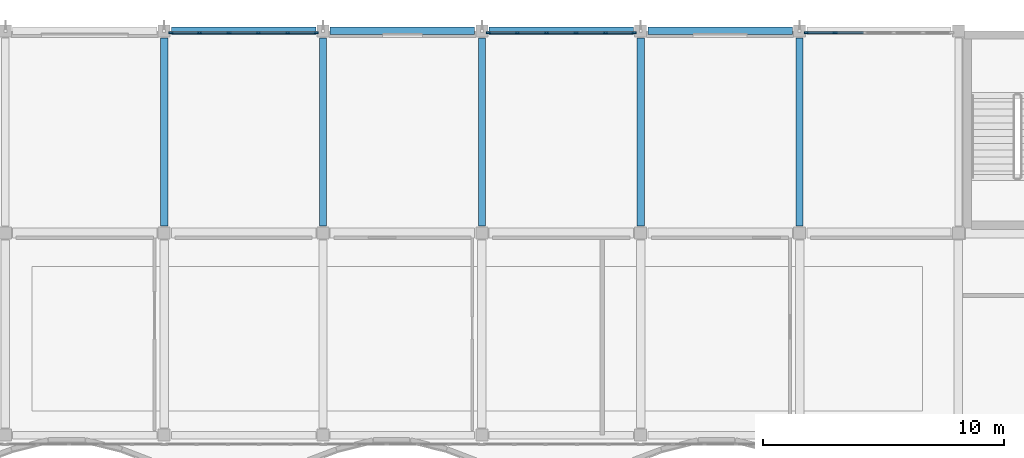
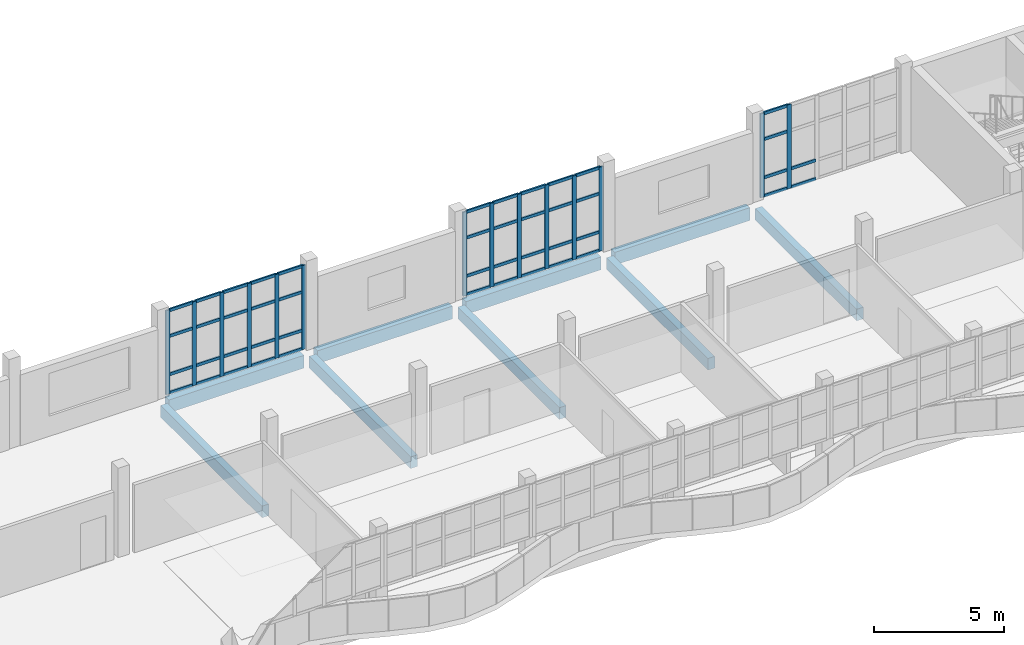
# One storey, part 22 of 78: 60 members, 9 beams, 3 elements without a shape of their own.
"""IFC4 building model written with IfcOpenShell, lengths in metres."""

from ifc_helpers import new_model, si_unit, direction, frame, origin, origin_2d, place, context, subcontext, project, spatial, rectangle, extrude, material, material_profile, profile_set, type_object, element, aggregate, save


model = new_model("IFC4")

# Units and contexts
model_context = context("Model", 3, precision=1e-05, world=origin(), true_north=direction((0.0, 1.0)))
body_context = subcontext(model_context, "Body", "Model", "MODEL_VIEW")
ifc_project = project(units=[si_unit("LENGTHUNIT", "METRE"), si_unit("AREAUNIT", "SQUARE_METRE"), si_unit("VOLUMEUNIT", "CUBIC_METRE"), si_unit("PLANEANGLEUNIT", "RADIAN"), si_unit("MASSUNIT", "GRAM", prefix="KILO")], contexts=[model_context])

# Site, building, storey
site_placement = place(None, origin())
site = spatial("IfcSite", under=ifc_project, at=site_placement, CompositionType="ELEMENT")
building_placement = place(site_placement, origin())
building = spatial("IfcBuilding", under=site, at=building_placement, Name="Qaldarim Faculty of Natural and Applied Sciences", CompositionType="ELEMENT")
storey_placement = place(building_placement, frame((0.0, 0.0, 18.60009765625)))
storey = spatial("IfcBuildingStorey", under=building, at=storey_placement, Name="L04", CompositionType="ELEMENT", Elevation=18.60009765625)

# Beams
ifc_material_1 = material(Name="Concrete C40/50", Category="concrete")
ifc_material_profile_1 = material_profile(ifc_material_1, rectangle(XDim=0.300048828125, YDim=0.550048828125, at=origin_2d()), Name="RC-B300x550")
ifc_profile_set_1 = profile_set([ifc_material_profile_1], Name="Concrete C40/50")
beam_type_1 = type_object("IfcBeamType", Name="FloorBeam-RC300x550", PredefinedType="BEAM", material=ifc_profile_set_1)
for number, where, z_axis, x_axis, name in (
    (1, (66.0, 109.5, -0.53515625), (0.0, 1.0, 0.0), (-1.0, 0.0, 0.0), "Beam RC-B300x550 L03 X11/Y14-Y15"),
    (2, (72.60009765625, 109.5, -0.53515625), (0.0, 1.0, 0.0), (-1.0, 0.0, 0.0), "Beam RC-B300x550 L03 X12/Y14-Y15"),
    (3, (79.199951171875, 109.5, -0.53515625), (0.0, 1.0, 0.0), (-1.0, 0.0, 0.0), "Beam RC-B300x550 L03 X13/Y14-Y15"),
    (4, (85.800048828125, 109.5, -0.53515625), (0.0, 1.0, 0.0), (-1.0, 0.0, 0.0), "Beam RC-B300x550 L03 X14/Y14-Y15"),
    (5, (92.39990234375, 109.5, -0.53515625), (0.0, 1.0, 0.0), (-1.0, 0.0, 0.0), "Beam RC-B300x550 L03 X15/Y14-Y15"),
):
    element("IfcBeam", number, at=place(storey_placement, frame(where, z_axis=z_axis, x_axis=x_axis)), inside=storey, type_object=beam_type_1, Name=name, PredefinedType="BEAM", context=body_context, shape_type="SweptSolid", body=[
        extrude(rectangle(XDim=0.300048828125, YDim=0.550048828125, at=origin_2d()), origin(), (0.0, 0.0, 1.0), 7.800048828125),
    ])

# Curtain wall, members
ifc_material_2 = material(Name="Anodised aluminium AW-6063", Category="aluminium")
curtain_wall_type = type_object("IfcCurtainWallType", Name="CurtainWallSystem-M1200", PredefinedType="USERDEFINED", material=ifc_material_2)
curtain_wall_1_placement = place(storey_placement, origin())
curtain_wall_1 = element("IfcCurtainWall", 6, at=curtain_wall_1_placement, inside=storey, type_object=curtain_wall_type, Name="Curtain wall CW-L04-N-X11Y14", ObjectType="STICK CURTAIN WALL", PredefinedType="USERDEFINED")
ifc_material_profile_2 = material_profile(ifc_material_2, rectangle(XDim=0.070068359375, YDim=0.179931640625, at=origin_2d()), Name="ALU-M70x180")
ifc_profile_set_2 = profile_set([ifc_material_profile_2], Name="Anodised aluminium AW-6063")
member_type_1 = type_object("IfcMemberType", Name="Mullion-ALU70x180", PredefinedType="MULLION", material=ifc_profile_set_2)
member_1_placement = place(storey_placement, frame((72.320068359375, 117.52001953125, 0.0), z_axis=(0.0, 0.0, 1.0), x_axis=(0.0, -1.0, 0.0)))
member_1 = element("IfcMember", 7, at=member_1_placement, type_object=member_type_1, Name="Mullion 1 of CW-L04-N-X11Y14", PredefinedType="MULLION", context=body_context, shape_type="SweptSolid", body=[
    extrude(rectangle(XDim=0.070068359375, YDim=0.179931640625, at=origin_2d()), origin(), (0.0, 0.0, 1.0), 3.93994140625),
])
member_2_placement = place(storey_placement, frame((71.133056640625, 117.52001953125, 0.0), z_axis=(0.0, 0.0, 1.0), x_axis=(0.0, -1.0, 0.0)))
member_2 = element("IfcMember", 8, at=member_2_placement, type_object=member_type_1, Name="Mullion 2 of CW-L04-N-X11Y14", PredefinedType="MULLION", context=body_context, shape_type="SweptSolid", body=[
    extrude(rectangle(XDim=0.070068359375, YDim=0.179931640625, at=origin_2d()), origin(), (0.0, 0.0, 1.0), 3.93994140625),
])
member_3_placement = place(storey_placement, frame((69.910888671875, 117.52001953125, 0.0), z_axis=(0.0, 0.0, 1.0), x_axis=(0.0, -1.0, 0.0)))
member_3 = element("IfcMember", 9, at=member_3_placement, type_object=member_type_1, Name="Mullion 3 of CW-L04-N-X11Y14", PredefinedType="MULLION", context=body_context, shape_type="SweptSolid", body=[
    extrude(rectangle(XDim=0.070068359375, YDim=0.179931640625, at=origin_2d()), origin(), (0.0, 0.0, 1.0), 3.93994140625),
])
member_4_placement = place(storey_placement, frame((68.68896484375, 117.52001953125, 0.0), z_axis=(0.0, 0.0, 1.0), x_axis=(0.0, -1.0, 0.0)))
member_4 = element("IfcMember", 10, at=member_4_placement, type_object=member_type_1, Name="Mullion 4 of CW-L04-N-X11Y14", PredefinedType="MULLION", context=body_context, shape_type="SweptSolid", body=[
    extrude(rectangle(XDim=0.070068359375, YDim=0.179931640625, at=origin_2d()), origin(), (0.0, 0.0, 1.0), 3.93994140625),
])
member_5_placement = place(storey_placement, frame((67.467041015625, 117.52001953125, 0.0), z_axis=(0.0, 0.0, 1.0), x_axis=(0.0, -1.0, 0.0)))
member_5 = element("IfcMember", 11, at=member_5_placement, type_object=member_type_1, Name="Mullion 5 of CW-L04-N-X11Y14", PredefinedType="MULLION", context=body_context, shape_type="SweptSolid", body=[
    extrude(rectangle(XDim=0.070068359375, YDim=0.179931640625, at=origin_2d()), origin(), (0.0, 0.0, 1.0), 3.93994140625),
])
member_6_placement = place(storey_placement, frame((66.280029296875, 117.52001953125, 0.0), z_axis=(0.0, 0.0, 1.0), x_axis=(0.0, -1.0, 0.0)))
member_6 = element("IfcMember", 12, at=member_6_placement, type_object=member_type_1, Name="Mullion 6 of CW-L04-N-X11Y14", PredefinedType="MULLION", context=body_context, shape_type="SweptSolid", body=[
    extrude(rectangle(XDim=0.070068359375, YDim=0.179931640625, at=origin_2d()), origin(), (0.0, 0.0, 1.0), 3.93994140625),
])

curtain_wall_2_placement = place(storey_placement, origin())
curtain_wall_2 = element("IfcCurtainWall", 13, at=curtain_wall_2_placement, inside=storey, type_object=curtain_wall_type, Name="Curtain wall CW-L04-N-X13Y14", ObjectType="STICK CURTAIN WALL", PredefinedType="USERDEFINED")
member_7_placement = place(storey_placement, frame((85.52001953125, 117.52001953125, 0.0), z_axis=(0.0, 0.0, 1.0), x_axis=(0.0, -1.0, 0.0)))
member_7 = element("IfcMember", 14, at=member_7_placement, type_object=member_type_1, Name="Mullion 1 of CW-L04-N-X13Y14", PredefinedType="MULLION", context=body_context, shape_type="SweptSolid", body=[
    extrude(rectangle(XDim=0.070068359375, YDim=0.179931640625, at=origin_2d()), origin(), (0.0, 0.0, 1.0), 3.93994140625),
])
member_8_placement = place(storey_placement, frame((84.3330078125, 117.52001953125, 0.0), z_axis=(0.0, 0.0, 1.0), x_axis=(0.0, -1.0, 0.0)))
member_8 = element("IfcMember", 15, at=member_8_placement, type_object=member_type_1, Name="Mullion 2 of CW-L04-N-X13Y14", PredefinedType="MULLION", context=body_context, shape_type="SweptSolid", body=[
    extrude(rectangle(XDim=0.070068359375, YDim=0.179931640625, at=origin_2d()), origin(), (0.0, 0.0, 1.0), 3.93994140625),
])
member_9_placement = place(storey_placement, frame((83.111083984375, 117.52001953125, 0.0), z_axis=(0.0, 0.0, 1.0), x_axis=(0.0, -1.0, 0.0)))
member_9 = element("IfcMember", 16, at=member_9_placement, type_object=member_type_1, Name="Mullion 3 of CW-L04-N-X13Y14", PredefinedType="MULLION", context=body_context, shape_type="SweptSolid", body=[
    extrude(rectangle(XDim=0.070068359375, YDim=0.179931640625, at=origin_2d()), origin(), (0.0, 0.0, 1.0), 3.93994140625),
])
member_10_placement = place(storey_placement, frame((81.888916015625, 117.52001953125, 0.0), z_axis=(0.0, 0.0, 1.0), x_axis=(0.0, -1.0, 0.0)))
member_10 = element("IfcMember", 17, at=member_10_placement, type_object=member_type_1, Name="Mullion 4 of CW-L04-N-X13Y14", PredefinedType="MULLION", context=body_context, shape_type="SweptSolid", body=[
    extrude(rectangle(XDim=0.070068359375, YDim=0.179931640625, at=origin_2d()), origin(), (0.0, 0.0, 1.0), 3.93994140625),
])
member_11_placement = place(storey_placement, frame((80.6669921875, 117.52001953125, 0.0), z_axis=(0.0, 0.0, 1.0), x_axis=(0.0, -1.0, 0.0)))
member_11 = element("IfcMember", 18, at=member_11_placement, type_object=member_type_1, Name="Mullion 5 of CW-L04-N-X13Y14", PredefinedType="MULLION", context=body_context, shape_type="SweptSolid", body=[
    extrude(rectangle(XDim=0.070068359375, YDim=0.179931640625, at=origin_2d()), origin(), (0.0, 0.0, 1.0), 3.93994140625),
])
member_12_placement = place(storey_placement, frame((79.47998046875, 117.52001953125, 0.0), z_axis=(0.0, 0.0, 1.0), x_axis=(0.0, -1.0, 0.0)))
member_12 = element("IfcMember", 19, at=member_12_placement, type_object=member_type_1, Name="Mullion 6 of CW-L04-N-X13Y14", PredefinedType="MULLION", context=body_context, shape_type="SweptSolid", body=[
    extrude(rectangle(XDim=0.070068359375, YDim=0.179931640625, at=origin_2d()), origin(), (0.0, 0.0, 1.0), 3.93994140625),
])

curtain_wall_3_placement = place(storey_placement, origin())
curtain_wall_3 = element("IfcCurtainWall", 20, at=curtain_wall_3_placement, inside=storey, type_object=curtain_wall_type, Name="Curtain wall CW-L04-N-X15Y14", ObjectType="STICK CURTAIN WALL", PredefinedType="USERDEFINED")
member_13_placement = place(storey_placement, frame((93.866943359375, 117.52001953125, 0.0), z_axis=(0.0, 0.0, 1.0), x_axis=(0.0, -1.0, 0.0)))
member_13 = element("IfcMember", 21, at=member_13_placement, type_object=member_type_1, Name="Mullion 5 of CW-L04-N-X15Y14", PredefinedType="MULLION", context=body_context, shape_type="SweptSolid", body=[
    extrude(rectangle(XDim=0.070068359375, YDim=0.179931640625, at=origin_2d()), origin(), (0.0, 0.0, 1.0), 3.93994140625),
])
member_14_placement = place(storey_placement, frame((92.679931640625, 117.52001953125, 0.0), z_axis=(0.0, 0.0, 1.0), x_axis=(0.0, -1.0, 0.0)))
member_14 = element("IfcMember", 22, at=member_14_placement, type_object=member_type_1, Name="Mullion 6 of CW-L04-N-X15Y14", PredefinedType="MULLION", context=body_context, shape_type="SweptSolid", body=[
    extrude(rectangle(XDim=0.070068359375, YDim=0.179931640625, at=origin_2d()), origin(), (0.0, 0.0, 1.0), 3.93994140625),
])

# Beams
ifc_material_3 = material(Name="Precast concrete C40/50", Category="concrete")
ifc_material_profile_3 = material_profile(ifc_material_3, rectangle(XDim=0.300048828125, YDim=0.60009765625, at=origin_2d()), Name="RC-SP300x600")
ifc_profile_set_3 = profile_set([ifc_material_profile_3], Name="Precast concrete C40/50")
beam_type_2 = type_object("IfcBeamType", Name="SpandrelBeam-RC300x600", PredefinedType="SPANDREL", material=ifc_profile_set_3)
for number, where, z_axis, x_axis, name in (
    (23, (66.300048828125, 117.60009765625, -0.56005859375), (1.0, 0.0, 0.0), (0.0, 1.0, 0.0), "Beam RC-SP300x600 L03 X11-X12/Y15"),
    (24, (72.89990234375, 117.60009765625, -0.56005859375), (1.0, 0.0, 0.0), (0.0, 1.0, 0.0), "Beam RC-SP300x600 L03 X12-X13/Y15"),
    (25, (79.5, 117.60009765625, -0.56005859375), (1.0, 0.0, 0.0), (0.0, 1.0, 0.0), "Beam RC-SP300x600 L03 X13-X14/Y15"),
    (26, (86.10009765625, 117.60009765625, -0.56005859375), (1.0, 0.0, 0.0), (0.0, 1.0, 0.0), "Beam RC-SP300x600 L03 X14-X15/Y15"),
):
    element("IfcBeam", number, at=place(storey_placement, frame(where, z_axis=z_axis, x_axis=x_axis)), inside=storey, type_object=beam_type_2, Name=name, PredefinedType="SPANDREL", context=body_context, shape_type="SweptSolid", body=[
        extrude(rectangle(XDim=0.300048828125, YDim=0.60009765625, at=origin_2d()), origin(), (0.0, 0.0, 1.0), 6.0),
    ])

# Member
ifc_material_profile_4 = material_profile(ifc_material_2, rectangle(XDim=0.070068359375, YDim=0.139892578125, at=origin_2d()), Name="ALU-T70x140")
ifc_profile_set_4 = profile_set([ifc_material_profile_4], Name="Anodised aluminium AW-6063")
member_type_2 = type_object("IfcMemberType", Name="Transom-ALU70x140", PredefinedType="USERDEFINED", material=ifc_profile_set_4)
member_15_placement = place(storey_placement, frame((72.284912109375, 117.52001953125, 0.034912109375), z_axis=(-1.0, 0.0, 0.0), x_axis=(0.0, -1.0, 0.0)))
member_15 = element("IfcMember", 27, at=member_15_placement, type_object=member_type_2, Name="Transom 1-1 of CW-L04-N-X11Y14", ObjectType="TRANSOM", PredefinedType="USERDEFINED", context=body_context, shape_type="SweptSolid", body=[
    extrude(rectangle(XDim=0.070068359375, YDim=0.139892578125, at=origin_2d()), origin(), (0.0, 0.0, 1.0), 1.116943359375),
])

member_16_placement = place(storey_placement, frame((72.284912109375, 117.52001953125, 0.89990234375), z_axis=(-1.0, 0.0, 0.0), x_axis=(0.0, -1.0, 0.0)))
member_16 = element("IfcMember", 28, at=member_16_placement, type_object=member_type_2, Name="Transom 1-2 of CW-L04-N-X11Y14", ObjectType="TRANSOM", PredefinedType="USERDEFINED", context=body_context, shape_type="SweptSolid", body=[
    extrude(rectangle(XDim=0.070068359375, YDim=0.139892578125, at=origin_2d()), origin(), (0.0, 0.0, 1.0), 1.116943359375),
])

member_17_placement = place(storey_placement, frame((72.284912109375, 117.52001953125, 2.699951171875), z_axis=(-1.0, 0.0, 0.0), x_axis=(0.0, -1.0, 0.0)))
member_17 = element("IfcMember", 29, at=member_17_placement, type_object=member_type_2, Name="Transom 1-3 of CW-L04-N-X11Y14", ObjectType="TRANSOM", PredefinedType="USERDEFINED", context=body_context, shape_type="SweptSolid", body=[
    extrude(rectangle(XDim=0.070068359375, YDim=0.139892578125, at=origin_2d()), origin(), (0.0, 0.0, 1.0), 1.116943359375),
])

member_18_placement = place(storey_placement, frame((72.284912109375, 117.52001953125, 3.90478515625), z_axis=(-1.0, 0.0, 0.0), x_axis=(0.0, -1.0, 0.0)))
member_18 = element("IfcMember", 30, at=member_18_placement, type_object=member_type_2, Name="Transom 1-4 of CW-L04-N-X11Y14", ObjectType="TRANSOM", PredefinedType="USERDEFINED", context=body_context, shape_type="SweptSolid", body=[
    extrude(rectangle(XDim=0.070068359375, YDim=0.139892578125, at=origin_2d()), origin(), (0.0, 0.0, 1.0), 1.116943359375),
])

member_19_placement = place(storey_placement, frame((71.097900390625, 117.52001953125, 0.034912109375), z_axis=(-1.0, 0.0, 0.0), x_axis=(0.0, -1.0, 0.0)))
member_19 = element("IfcMember", 31, at=member_19_placement, type_object=member_type_2, Name="Transom 2-1 of CW-L04-N-X11Y14", ObjectType="TRANSOM", PredefinedType="USERDEFINED", context=body_context, shape_type="SweptSolid", body=[
    extrude(rectangle(XDim=0.070068359375, YDim=0.139892578125, at=origin_2d()), origin(), (0.0, 0.0, 1.0), 1.15185546875),
])

member_20_placement = place(storey_placement, frame((71.097900390625, 117.52001953125, 0.89990234375), z_axis=(-1.0, 0.0, 0.0), x_axis=(0.0, -1.0, 0.0)))
member_20 = element("IfcMember", 32, at=member_20_placement, type_object=member_type_2, Name="Transom 2-2 of CW-L04-N-X11Y14", ObjectType="TRANSOM", PredefinedType="USERDEFINED", context=body_context, shape_type="SweptSolid", body=[
    extrude(rectangle(XDim=0.070068359375, YDim=0.139892578125, at=origin_2d()), origin(), (0.0, 0.0, 1.0), 1.15185546875),
])

member_21_placement = place(storey_placement, frame((71.097900390625, 117.52001953125, 2.699951171875), z_axis=(-1.0, 0.0, 0.0), x_axis=(0.0, -1.0, 0.0)))
member_21 = element("IfcMember", 33, at=member_21_placement, type_object=member_type_2, Name="Transom 2-3 of CW-L04-N-X11Y14", ObjectType="TRANSOM", PredefinedType="USERDEFINED", context=body_context, shape_type="SweptSolid", body=[
    extrude(rectangle(XDim=0.070068359375, YDim=0.139892578125, at=origin_2d()), origin(), (0.0, 0.0, 1.0), 1.15185546875),
])

member_22_placement = place(storey_placement, frame((71.097900390625, 117.52001953125, 3.90478515625), z_axis=(-1.0, 0.0, 0.0), x_axis=(0.0, -1.0, 0.0)))
member_22 = element("IfcMember", 34, at=member_22_placement, type_object=member_type_2, Name="Transom 2-4 of CW-L04-N-X11Y14", ObjectType="TRANSOM", PredefinedType="USERDEFINED", context=body_context, shape_type="SweptSolid", body=[
    extrude(rectangle(XDim=0.070068359375, YDim=0.139892578125, at=origin_2d()), origin(), (0.0, 0.0, 1.0), 1.15185546875),
])

member_23_placement = place(storey_placement, frame((69.8759765625, 117.52001953125, 0.034912109375), z_axis=(-1.0, 0.0, 0.0), x_axis=(0.0, -1.0, 0.0)))
member_23 = element("IfcMember", 35, at=member_23_placement, type_object=member_type_2, Name="Transom 3-1 of CW-L04-N-X11Y14", ObjectType="TRANSOM", PredefinedType="USERDEFINED", context=body_context, shape_type="SweptSolid", body=[
    extrude(rectangle(XDim=0.070068359375, YDim=0.139892578125, at=origin_2d()), origin(), (0.0, 0.0, 1.0), 1.15185546875),
])

member_24_placement = place(storey_placement, frame((69.8759765625, 117.52001953125, 0.89990234375), z_axis=(-1.0, 0.0, 0.0), x_axis=(0.0, -1.0, 0.0)))
member_24 = element("IfcMember", 36, at=member_24_placement, type_object=member_type_2, Name="Transom 3-2 of CW-L04-N-X11Y14", ObjectType="TRANSOM", PredefinedType="USERDEFINED", context=body_context, shape_type="SweptSolid", body=[
    extrude(rectangle(XDim=0.070068359375, YDim=0.139892578125, at=origin_2d()), origin(), (0.0, 0.0, 1.0), 1.15185546875),
])

member_25_placement = place(storey_placement, frame((69.8759765625, 117.52001953125, 2.699951171875), z_axis=(-1.0, 0.0, 0.0), x_axis=(0.0, -1.0, 0.0)))
member_25 = element("IfcMember", 37, at=member_25_placement, type_object=member_type_2, Name="Transom 3-3 of CW-L04-N-X11Y14", ObjectType="TRANSOM", PredefinedType="USERDEFINED", context=body_context, shape_type="SweptSolid", body=[
    extrude(rectangle(XDim=0.070068359375, YDim=0.139892578125, at=origin_2d()), origin(), (0.0, 0.0, 1.0), 1.15185546875),
])

member_26_placement = place(storey_placement, frame((69.8759765625, 117.52001953125, 3.90478515625), z_axis=(-1.0, 0.0, 0.0), x_axis=(0.0, -1.0, 0.0)))
member_26 = element("IfcMember", 38, at=member_26_placement, type_object=member_type_2, Name="Transom 3-4 of CW-L04-N-X11Y14", ObjectType="TRANSOM", PredefinedType="USERDEFINED", context=body_context, shape_type="SweptSolid", body=[
    extrude(rectangle(XDim=0.070068359375, YDim=0.139892578125, at=origin_2d()), origin(), (0.0, 0.0, 1.0), 1.15185546875),
])

member_27_placement = place(storey_placement, frame((68.654052734375, 117.52001953125, 0.034912109375), z_axis=(-1.0, 0.0, 0.0), x_axis=(0.0, -1.0, 0.0)))
member_27 = element("IfcMember", 39, at=member_27_placement, type_object=member_type_2, Name="Transom 4-1 of CW-L04-N-X11Y14", ObjectType="TRANSOM", PredefinedType="USERDEFINED", context=body_context, shape_type="SweptSolid", body=[
    extrude(rectangle(XDim=0.070068359375, YDim=0.139892578125, at=origin_2d()), origin(), (0.0, 0.0, 1.0), 1.152099609375),
])

member_28_placement = place(storey_placement, frame((68.654052734375, 117.52001953125, 0.89990234375), z_axis=(-1.0, 0.0, 0.0), x_axis=(0.0, -1.0, 0.0)))
member_28 = element("IfcMember", 40, at=member_28_placement, type_object=member_type_2, Name="Transom 4-2 of CW-L04-N-X11Y14", ObjectType="TRANSOM", PredefinedType="USERDEFINED", context=body_context, shape_type="SweptSolid", body=[
    extrude(rectangle(XDim=0.070068359375, YDim=0.139892578125, at=origin_2d()), origin(), (0.0, 0.0, 1.0), 1.152099609375),
])

member_29_placement = place(storey_placement, frame((68.654052734375, 117.52001953125, 2.699951171875), z_axis=(-1.0, 0.0, 0.0), x_axis=(0.0, -1.0, 0.0)))
member_29 = element("IfcMember", 41, at=member_29_placement, type_object=member_type_2, Name="Transom 4-3 of CW-L04-N-X11Y14", ObjectType="TRANSOM", PredefinedType="USERDEFINED", context=body_context, shape_type="SweptSolid", body=[
    extrude(rectangle(XDim=0.070068359375, YDim=0.139892578125, at=origin_2d()), origin(), (0.0, 0.0, 1.0), 1.152099609375),
])

member_30_placement = place(storey_placement, frame((68.654052734375, 117.52001953125, 3.90478515625), z_axis=(-1.0, 0.0, 0.0), x_axis=(0.0, -1.0, 0.0)))
member_30 = element("IfcMember", 42, at=member_30_placement, type_object=member_type_2, Name="Transom 4-4 of CW-L04-N-X11Y14", ObjectType="TRANSOM", PredefinedType="USERDEFINED", context=body_context, shape_type="SweptSolid", body=[
    extrude(rectangle(XDim=0.070068359375, YDim=0.139892578125, at=origin_2d()), origin(), (0.0, 0.0, 1.0), 1.152099609375),
])

member_31_placement = place(storey_placement, frame((67.431884765625, 117.52001953125, 0.034912109375), z_axis=(-1.0, 0.0, 0.0), x_axis=(0.0, -1.0, 0.0)))
member_31 = element("IfcMember", 43, at=member_31_placement, type_object=member_type_2, Name="Transom 5-1 of CW-L04-N-X11Y14", ObjectType="TRANSOM", PredefinedType="USERDEFINED", context=body_context, shape_type="SweptSolid", body=[
    extrude(rectangle(XDim=0.070068359375, YDim=0.139892578125, at=origin_2d()), origin(), (0.0, 0.0, 1.0), 1.116943359375),
])

member_32_placement = place(storey_placement, frame((67.431884765625, 117.52001953125, 0.89990234375), z_axis=(-1.0, 0.0, 0.0), x_axis=(0.0, -1.0, 0.0)))
member_32 = element("IfcMember", 44, at=member_32_placement, type_object=member_type_2, Name="Transom 5-2 of CW-L04-N-X11Y14", ObjectType="TRANSOM", PredefinedType="USERDEFINED", context=body_context, shape_type="SweptSolid", body=[
    extrude(rectangle(XDim=0.070068359375, YDim=0.139892578125, at=origin_2d()), origin(), (0.0, 0.0, 1.0), 1.116943359375),
])

member_33_placement = place(storey_placement, frame((67.431884765625, 117.52001953125, 2.699951171875), z_axis=(-1.0, 0.0, 0.0), x_axis=(0.0, -1.0, 0.0)))
member_33 = element("IfcMember", 45, at=member_33_placement, type_object=member_type_2, Name="Transom 5-3 of CW-L04-N-X11Y14", ObjectType="TRANSOM", PredefinedType="USERDEFINED", context=body_context, shape_type="SweptSolid", body=[
    extrude(rectangle(XDim=0.070068359375, YDim=0.139892578125, at=origin_2d()), origin(), (0.0, 0.0, 1.0), 1.116943359375),
])

member_34_placement = place(storey_placement, frame((67.431884765625, 117.52001953125, 3.90478515625), z_axis=(-1.0, 0.0, 0.0), x_axis=(0.0, -1.0, 0.0)))
member_34 = element("IfcMember", 46, at=member_34_placement, type_object=member_type_2, Name="Transom 5-4 of CW-L04-N-X11Y14", ObjectType="TRANSOM", PredefinedType="USERDEFINED", context=body_context, shape_type="SweptSolid", body=[
    extrude(rectangle(XDim=0.070068359375, YDim=0.139892578125, at=origin_2d()), origin(), (0.0, 0.0, 1.0), 1.116943359375),
])

aggregate(curtain_wall_1, [member_1, member_2, member_3, member_4, member_5, member_6, member_15, member_16, member_17, member_18, member_19, member_20, member_21, member_22, member_23, member_24, member_25, member_26, member_27, member_28, member_29, member_30, member_31, member_32, member_33, member_34])

member_35_placement = place(storey_placement, frame((85.485107421875, 117.52001953125, 0.034912109375), z_axis=(-1.0, 0.0, 0.0), x_axis=(0.0, -1.0, 0.0)))
member_35 = element("IfcMember", 47, at=member_35_placement, type_object=member_type_2, Name="Transom 1-1 of CW-L04-N-X13Y14", ObjectType="TRANSOM", PredefinedType="USERDEFINED", context=body_context, shape_type="SweptSolid", body=[
    extrude(rectangle(XDim=0.070068359375, YDim=0.139892578125, at=origin_2d()), origin(), (0.0, 0.0, 1.0), 1.1171875),
])

member_36_placement = place(storey_placement, frame((85.485107421875, 117.52001953125, 0.89990234375), z_axis=(-1.0, 0.0, 0.0), x_axis=(0.0, -1.0, 0.0)))
member_36 = element("IfcMember", 48, at=member_36_placement, type_object=member_type_2, Name="Transom 1-2 of CW-L04-N-X13Y14", ObjectType="TRANSOM", PredefinedType="USERDEFINED", context=body_context, shape_type="SweptSolid", body=[
    extrude(rectangle(XDim=0.070068359375, YDim=0.139892578125, at=origin_2d()), origin(), (0.0, 0.0, 1.0), 1.1171875),
])

member_37_placement = place(storey_placement, frame((85.485107421875, 117.52001953125, 2.699951171875), z_axis=(-1.0, 0.0, 0.0), x_axis=(0.0, -1.0, 0.0)))
member_37 = element("IfcMember", 49, at=member_37_placement, type_object=member_type_2, Name="Transom 1-3 of CW-L04-N-X13Y14", ObjectType="TRANSOM", PredefinedType="USERDEFINED", context=body_context, shape_type="SweptSolid", body=[
    extrude(rectangle(XDim=0.070068359375, YDim=0.139892578125, at=origin_2d()), origin(), (0.0, 0.0, 1.0), 1.1171875),
])

member_38_placement = place(storey_placement, frame((85.485107421875, 117.52001953125, 3.90478515625), z_axis=(-1.0, 0.0, 0.0), x_axis=(0.0, -1.0, 0.0)))
member_38 = element("IfcMember", 50, at=member_38_placement, type_object=member_type_2, Name="Transom 1-4 of CW-L04-N-X13Y14", ObjectType="TRANSOM", PredefinedType="USERDEFINED", context=body_context, shape_type="SweptSolid", body=[
    extrude(rectangle(XDim=0.070068359375, YDim=0.139892578125, at=origin_2d()), origin(), (0.0, 0.0, 1.0), 1.1171875),
])

member_39_placement = place(storey_placement, frame((84.298095703125, 117.52001953125, 0.034912109375), z_axis=(-1.0, 0.0, 0.0), x_axis=(0.0, -1.0, 0.0)))
member_39 = element("IfcMember", 51, at=member_39_placement, type_object=member_type_2, Name="Transom 2-1 of CW-L04-N-X13Y14", ObjectType="TRANSOM", PredefinedType="USERDEFINED", context=body_context, shape_type="SweptSolid", body=[
    extrude(rectangle(XDim=0.070068359375, YDim=0.139892578125, at=origin_2d()), origin(), (0.0, 0.0, 1.0), 1.152099609375),
])

member_40_placement = place(storey_placement, frame((84.298095703125, 117.52001953125, 0.89990234375), z_axis=(-1.0, 0.0, 0.0), x_axis=(0.0, -1.0, 0.0)))
member_40 = element("IfcMember", 52, at=member_40_placement, type_object=member_type_2, Name="Transom 2-2 of CW-L04-N-X13Y14", ObjectType="TRANSOM", PredefinedType="USERDEFINED", context=body_context, shape_type="SweptSolid", body=[
    extrude(rectangle(XDim=0.070068359375, YDim=0.139892578125, at=origin_2d()), origin(), (0.0, 0.0, 1.0), 1.152099609375),
])

member_41_placement = place(storey_placement, frame((84.298095703125, 117.52001953125, 2.699951171875), z_axis=(-1.0, 0.0, 0.0), x_axis=(0.0, -1.0, 0.0)))
member_41 = element("IfcMember", 53, at=member_41_placement, type_object=member_type_2, Name="Transom 2-3 of CW-L04-N-X13Y14", ObjectType="TRANSOM", PredefinedType="USERDEFINED", context=body_context, shape_type="SweptSolid", body=[
    extrude(rectangle(XDim=0.070068359375, YDim=0.139892578125, at=origin_2d()), origin(), (0.0, 0.0, 1.0), 1.152099609375),
])

member_42_placement = place(storey_placement, frame((84.298095703125, 117.52001953125, 3.90478515625), z_axis=(-1.0, 0.0, 0.0), x_axis=(0.0, -1.0, 0.0)))
member_42 = element("IfcMember", 54, at=member_42_placement, type_object=member_type_2, Name="Transom 2-4 of CW-L04-N-X13Y14", ObjectType="TRANSOM", PredefinedType="USERDEFINED", context=body_context, shape_type="SweptSolid", body=[
    extrude(rectangle(XDim=0.070068359375, YDim=0.139892578125, at=origin_2d()), origin(), (0.0, 0.0, 1.0), 1.152099609375),
])

member_43_placement = place(storey_placement, frame((83.075927734375, 117.52001953125, 0.034912109375), z_axis=(-1.0, 0.0, 0.0), x_axis=(0.0, -1.0, 0.0)))
member_43 = element("IfcMember", 55, at=member_43_placement, type_object=member_type_2, Name="Transom 3-1 of CW-L04-N-X13Y14", ObjectType="TRANSOM", PredefinedType="USERDEFINED", context=body_context, shape_type="SweptSolid", body=[
    extrude(rectangle(XDim=0.070068359375, YDim=0.139892578125, at=origin_2d()), origin(), (0.0, 0.0, 1.0), 1.15185546875),
])

member_44_placement = place(storey_placement, frame((83.075927734375, 117.52001953125, 0.89990234375), z_axis=(-1.0, 0.0, 0.0), x_axis=(0.0, -1.0, 0.0)))
member_44 = element("IfcMember", 56, at=member_44_placement, type_object=member_type_2, Name="Transom 3-2 of CW-L04-N-X13Y14", ObjectType="TRANSOM", PredefinedType="USERDEFINED", context=body_context, shape_type="SweptSolid", body=[
    extrude(rectangle(XDim=0.070068359375, YDim=0.139892578125, at=origin_2d()), origin(), (0.0, 0.0, 1.0), 1.15185546875),
])

member_45_placement = place(storey_placement, frame((83.075927734375, 117.52001953125, 2.699951171875), z_axis=(-1.0, 0.0, 0.0), x_axis=(0.0, -1.0, 0.0)))
member_45 = element("IfcMember", 57, at=member_45_placement, type_object=member_type_2, Name="Transom 3-3 of CW-L04-N-X13Y14", ObjectType="TRANSOM", PredefinedType="USERDEFINED", context=body_context, shape_type="SweptSolid", body=[
    extrude(rectangle(XDim=0.070068359375, YDim=0.139892578125, at=origin_2d()), origin(), (0.0, 0.0, 1.0), 1.15185546875),
])

member_46_placement = place(storey_placement, frame((83.075927734375, 117.52001953125, 3.90478515625), z_axis=(-1.0, 0.0, 0.0), x_axis=(0.0, -1.0, 0.0)))
member_46 = element("IfcMember", 58, at=member_46_placement, type_object=member_type_2, Name="Transom 3-4 of CW-L04-N-X13Y14", ObjectType="TRANSOM", PredefinedType="USERDEFINED", context=body_context, shape_type="SweptSolid", body=[
    extrude(rectangle(XDim=0.070068359375, YDim=0.139892578125, at=origin_2d()), origin(), (0.0, 0.0, 1.0), 1.15185546875),
])

member_47_placement = place(storey_placement, frame((81.85400390625, 117.52001953125, 0.034912109375), z_axis=(-1.0, 0.0, 0.0), x_axis=(0.0, -1.0, 0.0)))
member_47 = element("IfcMember", 59, at=member_47_placement, type_object=member_type_2, Name="Transom 4-1 of CW-L04-N-X13Y14", ObjectType="TRANSOM", PredefinedType="USERDEFINED", context=body_context, shape_type="SweptSolid", body=[
    extrude(rectangle(XDim=0.070068359375, YDim=0.139892578125, at=origin_2d()), origin(), (0.0, 0.0, 1.0), 1.152099609375),
])

member_48_placement = place(storey_placement, frame((81.85400390625, 117.52001953125, 0.89990234375), z_axis=(-1.0, 0.0, 0.0), x_axis=(0.0, -1.0, 0.0)))
member_48 = element("IfcMember", 60, at=member_48_placement, type_object=member_type_2, Name="Transom 4-2 of CW-L04-N-X13Y14", ObjectType="TRANSOM", PredefinedType="USERDEFINED", context=body_context, shape_type="SweptSolid", body=[
    extrude(rectangle(XDim=0.070068359375, YDim=0.139892578125, at=origin_2d()), origin(), (0.0, 0.0, 1.0), 1.152099609375),
])

member_49_placement = place(storey_placement, frame((81.85400390625, 117.52001953125, 2.699951171875), z_axis=(-1.0, 0.0, 0.0), x_axis=(0.0, -1.0, 0.0)))
member_49 = element("IfcMember", 61, at=member_49_placement, type_object=member_type_2, Name="Transom 4-3 of CW-L04-N-X13Y14", ObjectType="TRANSOM", PredefinedType="USERDEFINED", context=body_context, shape_type="SweptSolid", body=[
    extrude(rectangle(XDim=0.070068359375, YDim=0.139892578125, at=origin_2d()), origin(), (0.0, 0.0, 1.0), 1.152099609375),
])

member_50_placement = place(storey_placement, frame((81.85400390625, 117.52001953125, 3.90478515625), z_axis=(-1.0, 0.0, 0.0), x_axis=(0.0, -1.0, 0.0)))
member_50 = element("IfcMember", 62, at=member_50_placement, type_object=member_type_2, Name="Transom 4-4 of CW-L04-N-X13Y14", ObjectType="TRANSOM", PredefinedType="USERDEFINED", context=body_context, shape_type="SweptSolid", body=[
    extrude(rectangle(XDim=0.070068359375, YDim=0.139892578125, at=origin_2d()), origin(), (0.0, 0.0, 1.0), 1.152099609375),
])

member_51_placement = place(storey_placement, frame((80.632080078125, 117.52001953125, 0.034912109375), z_axis=(-1.0, 0.0, 0.0), x_axis=(0.0, -1.0, 0.0)))
member_51 = element("IfcMember", 63, at=member_51_placement, type_object=member_type_2, Name="Transom 5-1 of CW-L04-N-X13Y14", ObjectType="TRANSOM", PredefinedType="USERDEFINED", context=body_context, shape_type="SweptSolid", body=[
    extrude(rectangle(XDim=0.070068359375, YDim=0.139892578125, at=origin_2d()), origin(), (0.0, 0.0, 1.0), 1.1171875),
])

member_52_placement = place(storey_placement, frame((80.632080078125, 117.52001953125, 0.89990234375), z_axis=(-1.0, 0.0, 0.0), x_axis=(0.0, -1.0, 0.0)))
member_52 = element("IfcMember", 64, at=member_52_placement, type_object=member_type_2, Name="Transom 5-2 of CW-L04-N-X13Y14", ObjectType="TRANSOM", PredefinedType="USERDEFINED", context=body_context, shape_type="SweptSolid", body=[
    extrude(rectangle(XDim=0.070068359375, YDim=0.139892578125, at=origin_2d()), origin(), (0.0, 0.0, 1.0), 1.1171875),
])

member_53_placement = place(storey_placement, frame((80.632080078125, 117.52001953125, 2.699951171875), z_axis=(-1.0, 0.0, 0.0), x_axis=(0.0, -1.0, 0.0)))
member_53 = element("IfcMember", 65, at=member_53_placement, type_object=member_type_2, Name="Transom 5-3 of CW-L04-N-X13Y14", ObjectType="TRANSOM", PredefinedType="USERDEFINED", context=body_context, shape_type="SweptSolid", body=[
    extrude(rectangle(XDim=0.070068359375, YDim=0.139892578125, at=origin_2d()), origin(), (0.0, 0.0, 1.0), 1.1171875),
])

member_54_placement = place(storey_placement, frame((80.632080078125, 117.52001953125, 3.90478515625), z_axis=(-1.0, 0.0, 0.0), x_axis=(0.0, -1.0, 0.0)))
member_54 = element("IfcMember", 66, at=member_54_placement, type_object=member_type_2, Name="Transom 5-4 of CW-L04-N-X13Y14", ObjectType="TRANSOM", PredefinedType="USERDEFINED", context=body_context, shape_type="SweptSolid", body=[
    extrude(rectangle(XDim=0.070068359375, YDim=0.139892578125, at=origin_2d()), origin(), (0.0, 0.0, 1.0), 1.1171875),
])

aggregate(curtain_wall_2, [member_7, member_8, member_9, member_10, member_11, member_12, member_35, member_36, member_37, member_38, member_39, member_40, member_41, member_42, member_43, member_44, member_45, member_46, member_47, member_48, member_49, member_50, member_51, member_52, member_53, member_54])

member_55_placement = place(storey_placement, frame((95.053955078125, 117.52001953125, 0.034912109375), z_axis=(-1.0, 0.0, 0.0), x_axis=(0.0, -1.0, 0.0)))
member_55 = element("IfcMember", 67, at=member_55_placement, type_object=member_type_2, Name="Transom 4-1 of CW-L04-N-X15Y14", ObjectType="TRANSOM", PredefinedType="USERDEFINED", context=body_context, shape_type="SweptSolid", body=[
    extrude(rectangle(XDim=0.070068359375, YDim=0.139892578125, at=origin_2d()), origin(), (0.0, 0.0, 1.0), 1.15185546875),
])

member_56_placement = place(storey_placement, frame((95.053955078125, 117.52001953125, 0.89990234375), z_axis=(-1.0, 0.0, 0.0), x_axis=(0.0, -1.0, 0.0)))
member_56 = element("IfcMember", 68, at=member_56_placement, type_object=member_type_2, Name="Transom 4-2 of CW-L04-N-X15Y14", ObjectType="TRANSOM", PredefinedType="USERDEFINED", context=body_context, shape_type="SweptSolid", body=[
    extrude(rectangle(XDim=0.070068359375, YDim=0.139892578125, at=origin_2d()), origin(), (0.0, 0.0, 1.0), 1.15185546875),
])

member_57_placement = place(storey_placement, frame((93.83203125, 117.52001953125, 0.034912109375), z_axis=(-1.0, 0.0, 0.0), x_axis=(0.0, -1.0, 0.0)))
member_57 = element("IfcMember", 69, at=member_57_placement, type_object=member_type_2, Name="Transom 5-1 of CW-L04-N-X15Y14", ObjectType="TRANSOM", PredefinedType="USERDEFINED", context=body_context, shape_type="SweptSolid", body=[
    extrude(rectangle(XDim=0.070068359375, YDim=0.139892578125, at=origin_2d()), origin(), (0.0, 0.0, 1.0), 1.116943359375),
])

member_58_placement = place(storey_placement, frame((93.83203125, 117.52001953125, 0.89990234375), z_axis=(-1.0, 0.0, 0.0), x_axis=(0.0, -1.0, 0.0)))
member_58 = element("IfcMember", 70, at=member_58_placement, type_object=member_type_2, Name="Transom 5-2 of CW-L04-N-X15Y14", ObjectType="TRANSOM", PredefinedType="USERDEFINED", context=body_context, shape_type="SweptSolid", body=[
    extrude(rectangle(XDim=0.070068359375, YDim=0.139892578125, at=origin_2d()), origin(), (0.0, 0.0, 1.0), 1.116943359375),
])

member_59_placement = place(storey_placement, frame((93.83203125, 117.52001953125, 2.699951171875), z_axis=(-1.0, 0.0, 0.0), x_axis=(0.0, -1.0, 0.0)))
member_59 = element("IfcMember", 71, at=member_59_placement, type_object=member_type_2, Name="Transom 5-3 of CW-L04-N-X15Y14", ObjectType="TRANSOM", PredefinedType="USERDEFINED", context=body_context, shape_type="SweptSolid", body=[
    extrude(rectangle(XDim=0.070068359375, YDim=0.139892578125, at=origin_2d()), origin(), (0.0, 0.0, 1.0), 1.116943359375),
])

member_60_placement = place(storey_placement, frame((93.83203125, 117.52001953125, 3.90478515625), z_axis=(-1.0, 0.0, 0.0), x_axis=(0.0, -1.0, 0.0)))
member_60 = element("IfcMember", 72, at=member_60_placement, type_object=member_type_2, Name="Transom 5-4 of CW-L04-N-X15Y14", ObjectType="TRANSOM", PredefinedType="USERDEFINED", context=body_context, shape_type="SweptSolid", body=[
    extrude(rectangle(XDim=0.070068359375, YDim=0.139892578125, at=origin_2d()), origin(), (0.0, 0.0, 1.0), 1.116943359375),
])

aggregate(curtain_wall_3, [member_13, member_14, member_55, member_56, member_57, member_58, member_59, member_60])

save(model, "model.ifc")
